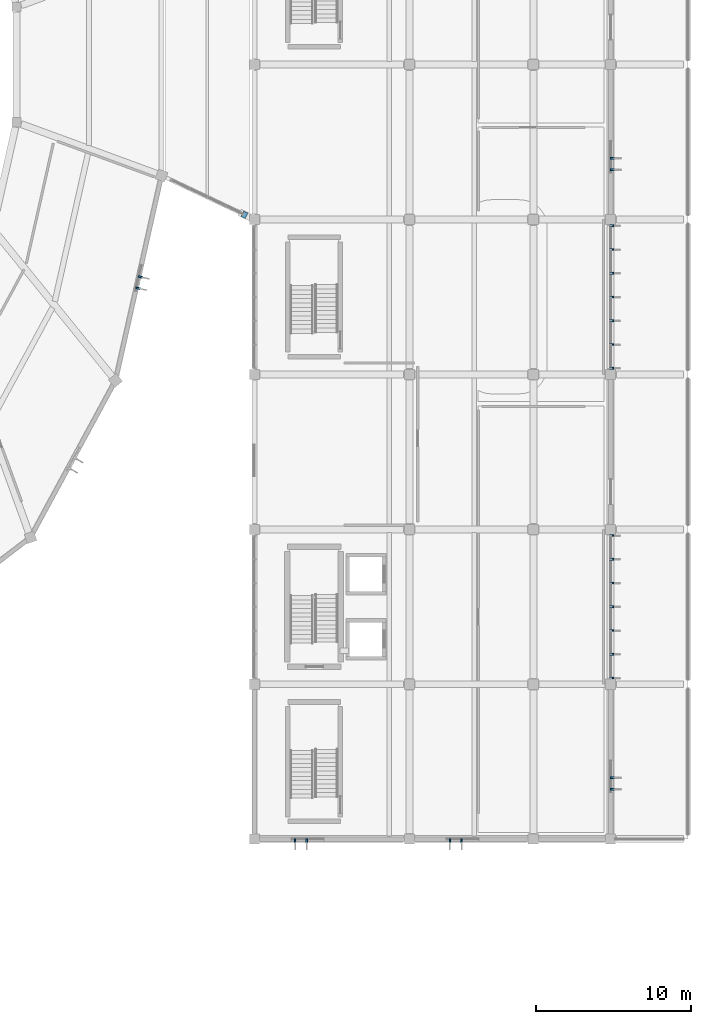
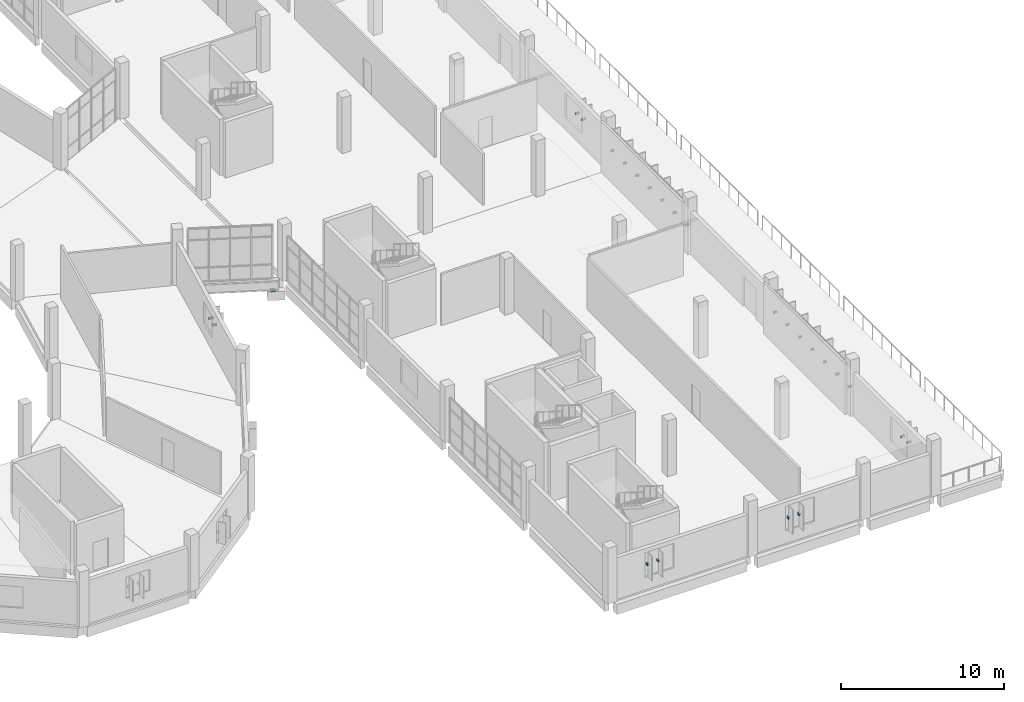
# One storey, part 117 of 142: 25 discrete accessories.
"""IFC4 building model written with IfcOpenShell, lengths in metres."""

from ifc_helpers import new_model, si_unit, direction, frame, origin, origin_2d, place, context, subcontext, project, spatial, rectangle, extrude, material, type_object, element, save


model = new_model("IFC4")

# Units and contexts
model_context = context("Model", 3, precision=1e-05, world=origin(), true_north=direction((0.0, 1.0)))
body_context = subcontext(model_context, "Body", "Model", "MODEL_VIEW")
ifc_project = project(units=[si_unit("LENGTHUNIT", "METRE"), si_unit("AREAUNIT", "SQUARE_METRE"), si_unit("VOLUMEUNIT", "CUBIC_METRE"), si_unit("PLANEANGLEUNIT", "RADIAN"), si_unit("MASSUNIT", "GRAM", prefix="KILO")], contexts=[model_context])

# Site, building, storey
site_placement = place(None, origin())
site = spatial("IfcSite", under=ifc_project, at=site_placement, CompositionType="ELEMENT")
building_placement = place(site_placement, origin())
building = spatial("IfcBuilding", under=site, at=building_placement, Name="Corvandel Quay Wholesale Market", CompositionType="ELEMENT")
storey_placement = place(building_placement, frame((0.0, 0.0, 10.800048828125)))
storey = spatial("IfcBuildingStorey", under=building, at=storey_placement, Name="L02", CompositionType="ELEMENT", Elevation=10.800048828125)

# Discrete accessories
ifc_material_1 = material(Name="Austenitic stainless steel Grade 316", Category="steel")
discrete_accessory_type_1 = type_object("IfcDiscreteAccessoryType", Name="Stainless Solar Fin Fixing Bracket BRK01", PredefinedType="USERDEFINED", material=ifc_material_1)
for number, where, z_axis, x_axis, name in (
    (1, (212.470703125, 45.5673828125, 1.68017578125), (0.0, 0.0, 1.0), (-0.975726024471, 0.218994806262, 0.0), "Fin Bracket 0676"),
    (2, (212.635009765625, 46.29931640625, 1.68017578125), (0.0, 0.0, 1.0), (-0.975726024471, 0.218994806262, 0.0), "Fin Bracket 0677"),
    (3, (243.10009765625, 13.219970703125, 1.7548828125), (0.0, 0.0, 1.0), (1.0, 0.0, 0.0), "Fin Bracket 0845"),
    (4, (243.10009765625, 13.969970703125, 1.7548828125), (0.0, 0.0, 1.0), (1.0, 0.0, 0.0), "Fin Bracket 0846"),
):
    element("IfcDiscreteAccessory", number, at=place(storey_placement, frame(where, z_axis=z_axis, x_axis=x_axis)), inside=storey, type_object=discrete_accessory_type_1, Name=name, ObjectType="BRACKET", PredefinedType="USERDEFINED", context=body_context, shape_type="SweptSolid", body=[
        extrude(rectangle(XDim=0.280029296875, YDim=0.1201171875, at=origin_2d()), origin(), (0.0, 0.0, 1.0), 0.139892578125),
    ])
for number, where, z_axis, x_axis, name in (
    (5, (243.06005859375, 20.39990234375, 1.60498046875), (0.0, 0.0, 1.0), (1.0, 0.0, 0.0), "Fin Bracket 0847"),
    (6, (243.06005859375, 21.933349609375, 1.60498046875), (0.0, 0.0, 1.0), (1.0, 0.0, 0.0), "Fin Bracket 0848"),
    (7, (243.06005859375, 23.466796875, 1.60498046875), (0.0, 0.0, 1.0), (1.0, 0.0, 0.0), "Fin Bracket 0849"),
    (8, (243.06005859375, 25.0, 1.60498046875), (0.0, 0.0, 1.0), (1.0, 0.0, 0.0), "Fin Bracket 0850"),
    (9, (243.06005859375, 26.533203125, 1.60498046875), (0.0, 0.0, 1.0), (1.0, 0.0, 0.0), "Fin Bracket 0851"),
    (10, (243.06005859375, 28.066650390625, 1.60498046875), (0.0, 0.0, 1.0), (1.0, 0.0, 0.0), "Fin Bracket 0852"),
    (11, (243.06005859375, 29.60009765625, 1.60498046875), (0.0, 0.0, 1.0), (1.0, 0.0, 0.0), "Fin Bracket 0853"),
    (12, (243.06005859375, 40.39990234375, 1.60498046875), (0.0, 0.0, 1.0), (1.0, 0.0, 0.0), "Fin Bracket 0854"),
    (13, (243.06005859375, 41.933349609375, 1.60498046875), (0.0, 0.0, 1.0), (1.0, 0.0, 0.0), "Fin Bracket 0855"),
    (14, (243.06005859375, 43.466796875, 1.60498046875), (0.0, 0.0, 1.0), (1.0, 0.0, 0.0), "Fin Bracket 0856"),
    (15, (243.06005859375, 45.0, 1.60498046875), (0.0, 0.0, 1.0), (1.0, 0.0, 0.0), "Fin Bracket 0857"),
    (16, (243.06005859375, 46.533203125, 1.60498046875), (0.0, 0.0, 1.0), (1.0, 0.0, 0.0), "Fin Bracket 0858"),
    (17, (243.06005859375, 48.066650390625, 1.60498046875), (0.0, 0.0, 1.0), (1.0, 0.0, 0.0), "Fin Bracket 0859"),
    (18, (243.06005859375, 49.60009765625, 1.60498046875), (0.0, 0.0, 1.0), (1.0, 0.0, 0.0), "Fin Bracket 0860"),
):
    element("IfcDiscreteAccessory", number, at=place(storey_placement, frame(where, z_axis=z_axis, x_axis=x_axis)), inside=storey, type_object=discrete_accessory_type_1, Name=name, ObjectType="BRACKET", PredefinedType="USERDEFINED", context=body_context, shape_type="SweptSolid", body=[
        extrude(rectangle(XDim=0.239990234375, YDim=0.1201171875, at=origin_2d()), origin(), (0.0, 0.0, 1.0), 0.139892578125),
    ])
for number, where, z_axis, x_axis, name in (
    (19, (243.10009765625, 53.219970703125, 1.7548828125), (0.0, 0.0, 1.0), (1.0, 0.0, 0.0), "Fin Bracket 0861"),
    (20, (243.10009765625, 53.969970703125, 1.7548828125), (0.0, 0.0, 1.0), (1.0, 0.0, 0.0), "Fin Bracket 0862"),
    (21, (222.6201171875, 9.89990234375, 1.80517578125), (0.0, 0.0, 1.0), (0.0, 1.0, 0.0), "Fin Bracket 0874"),
    (22, (223.3701171875, 9.89990234375, 1.80517578125), (0.0, 0.0, 1.0), (0.0, 1.0, 0.0), "Fin Bracket 0875"),
    (23, (232.6201171875, 9.89990234375, 1.80517578125), (0.0, 0.0, 1.0), (0.0, 1.0, 0.0), "Fin Bracket 0876"),
    (24, (233.3701171875, 9.89990234375, 1.80517578125), (0.0, 0.0, 1.0), (0.0, 1.0, 0.0), "Fin Bracket 0877"),
):
    element("IfcDiscreteAccessory", number, at=place(storey_placement, frame(where, z_axis=z_axis, x_axis=x_axis)), inside=storey, type_object=discrete_accessory_type_1, Name=name, ObjectType="BRACKET", PredefinedType="USERDEFINED", context=body_context, shape_type="SweptSolid", body=[
        extrude(rectangle(XDim=0.280029296875, YDim=0.1201171875, at=origin_2d()), origin(), (0.0, 0.0, 1.0), 0.139892578125),
    ])
ifc_material_2 = material(Name="PTFE elastomeric bearing assembly")
discrete_accessory_type_2 = type_object("IfcDiscreteAccessoryType", Name="Unguided Bi-Directional PTFE Sliding Bearing SBG01", PredefinedType="USERDEFINED", material=ifc_material_2)
discrete_accessory_placement = place(storey_placement, frame((219.353759765625, 50.305908203125, -0.943115234375), z_axis=(0.0, 0.0, 1.0), x_axis=(-0.903933318548, 0.427673421689, 0.0)))
element("IfcDiscreteAccessory", 25, at=discrete_accessory_placement, inside=storey, type_object=discrete_accessory_type_2, Name="PTFE Sliding Bearing SBG-021", ObjectType="SLIDING BEARING", PredefinedType="USERDEFINED", context=body_context, shape_type="SweptSolid", body=[
    extrude(rectangle(XDim=0.300048828125, YDim=0.39990234375, at=origin_2d()), origin(), (0.0, 0.0, 1.0), 0.0400390625),
])

save(model, "model.ifc")
